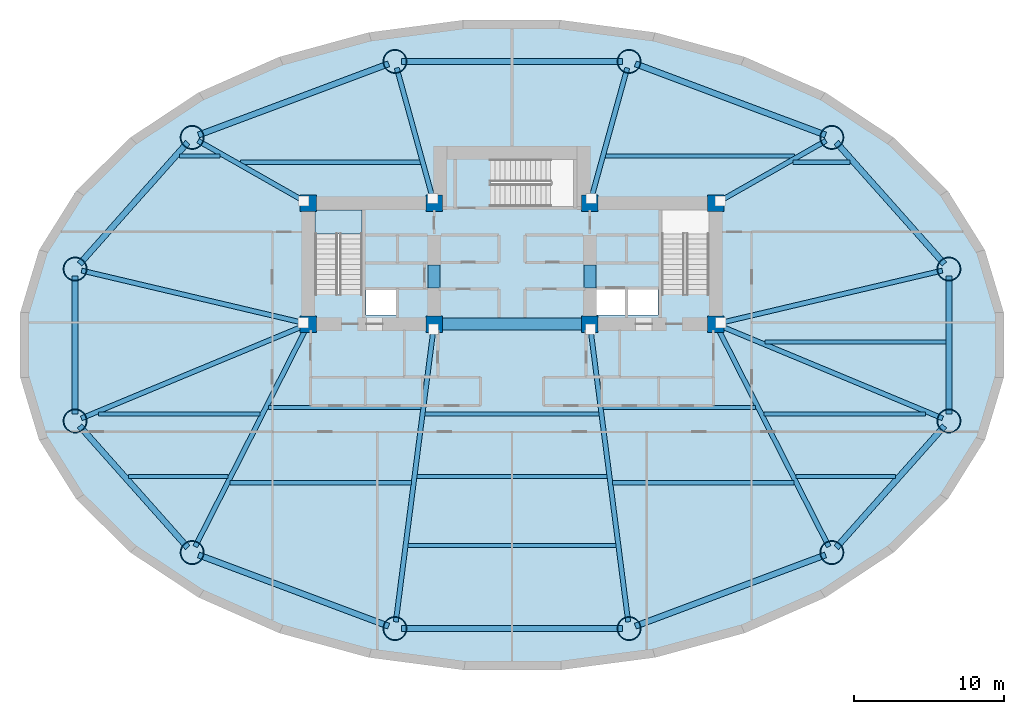
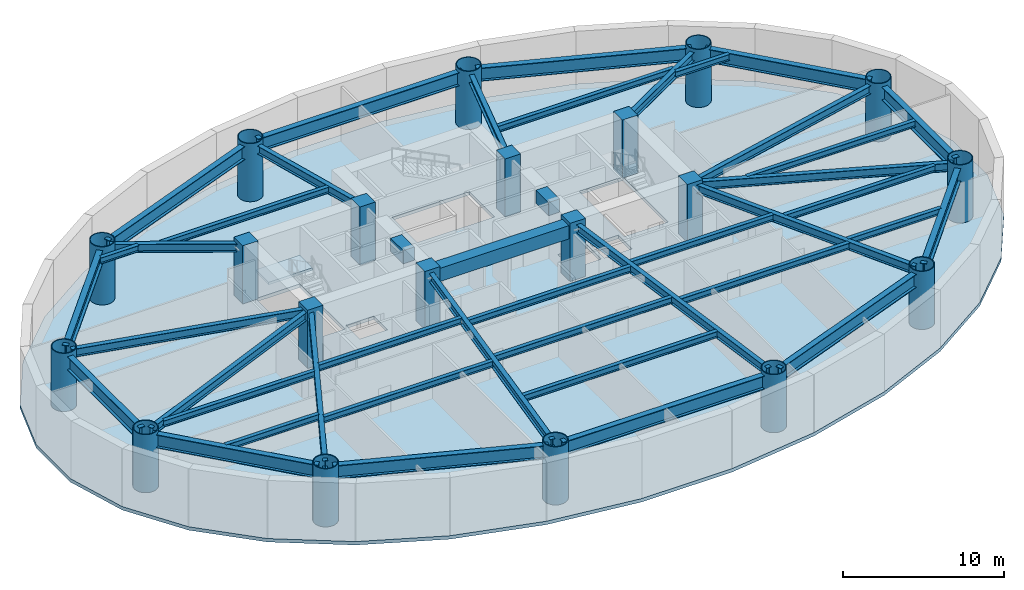
# One storey, part 1 of 6: 43 beams, 20 columns, 2 slabs, 1 element without a shape of its own.
"""IFC4 building model written with IfcOpenShell, lengths in metres."""

from ifc_helpers import new_model, si_unit, direction, frame, origin, origin_2d, place, context, subcontext, project, spatial, polyline, rectangle, hollow_circle, i_section, outline, extrude, material, layer, layer_set, material_profile, profile_set, type_object, element, aggregate, save


model = new_model("IFC4")

# Units and contexts
model_context = context("Model", 3, precision=1e-05, world=origin(), true_north=direction((0.0, 1.0)))
body_context = subcontext(model_context, "Body", "Model", "MODEL_VIEW")
ifc_project = project(units=[si_unit("LENGTHUNIT", "METRE"), si_unit("AREAUNIT", "SQUARE_METRE"), si_unit("VOLUMEUNIT", "CUBIC_METRE"), si_unit("PLANEANGLEUNIT", "RADIAN"), si_unit("MASSUNIT", "GRAM", prefix="KILO")], contexts=[model_context])

# Site, building, storey
site_placement = place(None, origin())
site = spatial("IfcSite", under=ifc_project, at=site_placement, CompositionType="ELEMENT")
building_placement = place(site_placement, origin())
building = spatial("IfcBuilding", under=site, at=building_placement, Name="Keldmark Tower", CompositionType="ELEMENT")
storey_placement = place(building_placement, frame((0.0, 0.0, -4.39990234375)))
storey = spatial("IfcBuildingStorey", under=building, at=storey_placement, Name="B01", CompositionType="ELEMENT", Elevation=-4.39990234375)

# Columns
ifc_material_1 = material(Name="Concrete C70/85", Category="concrete")
ifc_material_profile_1 = material_profile(ifc_material_1, rectangle(XDim=1.10009765625, YDim=1.10009765625, at=origin_2d()), Name="RC1100X1100")
ifc_profile_set_1 = profile_set([ifc_material_profile_1], Name="Concrete C70/85")
column_type_1 = type_object("IfcColumnType", Name="Core Boundary Column RC1100", PredefinedType="COLUMN", material=ifc_profile_set_1)
for number, where, z_axis, x_axis, name in (
    (1, (-13.60009765625, 1.39990234375, 0.0), (0.0, 0.0, 1.0), (1.0, 0.0, 0.0), "B01 Core Boundary Column CC-W1"),
    (2, (-13.60009765625, 9.449951171875, 0.0), (0.0, 0.0, 1.0), (1.0, 0.0, 0.0), "B01 Core Boundary Column CC-W2"),
    (3, (-5.199951171875, 1.39990234375, 0.0), (0.0, 0.0, 1.0), (1.0, 0.0, 0.0), "B01 Core Boundary Column CC-W3"),
    (4, (-5.199951171875, 9.449951171875, 0.0), (0.0, 0.0, 1.0), (1.0, 0.0, 0.0), "B01 Core Boundary Column CC-W4"),
    (5, (5.199951171875, 1.39990234375, 0.0), (0.0, 0.0, 1.0), (1.0, 0.0, 0.0), "B01 Core Boundary Column CC-E1"),
    (6, (5.199951171875, 9.449951171875, 0.0), (0.0, 0.0, 1.0), (1.0, 0.0, 0.0), "B01 Core Boundary Column CC-E2"),
    (7, (13.60009765625, 1.39990234375, 0.0), (0.0, 0.0, 1.0), (1.0, 0.0, 0.0), "B01 Core Boundary Column CC-E3"),
    (8, (13.60009765625, 9.449951171875, 0.0), (0.0, 0.0, 1.0), (1.0, 0.0, 0.0), "B01 Core Boundary Column CC-E4"),
):
    element("IfcColumn", number, at=place(storey_placement, frame(where, z_axis=z_axis, x_axis=x_axis)), inside=storey, type_object=column_type_1, Name=name, PredefinedType="COLUMN", context=body_context, shape_type="SweptSolid", body=[
        extrude(rectangle(XDim=1.10009765625, YDim=1.10009765625, at=origin_2d()), origin(), (0.0, 0.0, 1.0), 4.39990234375),
    ])
ifc_material_2 = material(Name="Steel ASTM A572 Grade 50", Category="steel")
ifc_material_profile_2 = material_profile(ifc_material_2, hollow_circle(Radius=0.800048828125, WallThickness=0.06005859375, at=origin_2d()), Name="CHS1600X60")
ifc_profile_set_2 = profile_set([ifc_material_profile_2], Name="Steel ASTM A572 Grade 50")
column_type_2 = type_object("IfcColumnType", Name="Pilotis Mega-Column Lower CHS1600", PredefinedType="USERDEFINED", material=ifc_profile_set_2)
for number, where, z_axis, x_axis, name in (
    (9, (29.1708984375, 5.072998046875, 0.0), (0.0, 0.0, 1.0), (1.0, 0.0, 0.0), "B01 Pilotis Mega-Column MC-01"),
    (10, (21.3544921875, 13.859375, 0.0), (0.0, 0.0, 1.0), (1.0, 0.0, 0.0), "B01 Pilotis Mega-Column MC-02"),
    (11, (7.81640625, 18.93212890625, 0.0), (0.0, 0.0, 1.0), (1.0, 0.0, 0.0), "B01 Pilotis Mega-Column MC-03"),
    (12, (-7.81640625, 18.93212890625, 0.0), (0.0, 0.0, 1.0), (1.0, 0.0, 0.0), "B01 Pilotis Mega-Column MC-04"),
    (13, (-21.3544921875, 13.859375, 0.0), (0.0, 0.0, 1.0), (1.0, 0.0, 0.0), "B01 Pilotis Mega-Column MC-05"),
    (14, (-29.1708984375, 5.072998046875, 0.0), (0.0, 0.0, 1.0), (1.0, 0.0, 0.0), "B01 Pilotis Mega-Column MC-06"),
    (15, (-29.1708984375, -5.072998046875, 0.0), (0.0, 0.0, 1.0), (1.0, 0.0, 0.0), "B01 Pilotis Mega-Column MC-07"),
    (16, (-21.3544921875, -13.859375, 0.0), (0.0, 0.0, 1.0), (1.0, 0.0, 0.0), "B01 Pilotis Mega-Column MC-08"),
    (17, (-7.81640625, -18.93212890625, 0.0), (0.0, 0.0, 1.0), (1.0, 0.0, 0.0), "B01 Pilotis Mega-Column MC-09"),
    (18, (7.81640625, -18.93212890625, 0.0), (0.0, 0.0, 1.0), (1.0, 0.0, 0.0), "B01 Pilotis Mega-Column MC-10"),
    (19, (21.3544921875, -13.859375, 0.0), (0.0, 0.0, 1.0), (1.0, 0.0, 0.0), "B01 Pilotis Mega-Column MC-11"),
    (20, (29.1708984375, -5.072998046875, 0.0), (0.0, 0.0, 1.0), (1.0, 0.0, 0.0), "B01 Pilotis Mega-Column MC-12"),
):
    element("IfcColumn", number, at=place(storey_placement, frame(where, z_axis=z_axis, x_axis=x_axis)), inside=storey, type_object=column_type_2, Name=name, ObjectType="MEGA COLUMN", PredefinedType="USERDEFINED", context=body_context, shape_type="SweptSolid", body=[
        extrude(hollow_circle(Radius=0.800048828125, WallThickness=0.06005859375, at=origin_2d()), origin(), (0.0, 0.0, 1.0), 4.39990234375),
    ])

# Beams
ifc_material_3 = material(Name="Steel ASTM A992 Grade 50", Category="steel")
ifc_material_profile_3 = material_profile(ifc_material_3, i_section(OverallWidth=0.280029296875, OverallDepth=0.462890625, WebThickness=0.0107421875, FlangeThickness=0.017333984375, at=origin_2d()), Name="W18X76")
ifc_profile_set_3 = profile_set([ifc_material_profile_3], Name="Steel ASTM A992 Grade 50")
beam_type_1 = type_object("IfcBeamType", Name="Composite Floor Joist W18X76", PredefinedType="JOIST", material=ifc_profile_set_3)
beam_1_placement = place(storey_placement, frame((-6.946044921875, -13.3798828125, 3.908447265625), z_axis=(1.0, 0.0, 0.0), x_axis=(0.0, 1.0, 0.0)))
element("IfcBeam", 21, at=beam_1_placement, inside=storey, type_object=beam_type_1, Name="B01 Composite Floor Joist J01", PredefinedType="JOIST", context=body_context, shape_type="SweptSolid", body=[
    extrude(i_section(OverallWidth=0.280029296875, OverallDepth=0.462890625, WebThickness=0.0107421875, FlangeThickness=0.017333984375, at=origin_2d()), origin(), (0.0, 0.0, 1.0), 13.89208984375),
])
beam_2_placement = place(storey_placement, frame((-25.614501953125, -8.780029296875, 3.908447265625), z_axis=(1.0, 0.0, 0.0), x_axis=(0.0, 1.0, 0.0)))
element("IfcBeam", 22, at=beam_2_placement, inside=storey, type_object=beam_type_1, Name="B01 Composite Floor Joist J02", PredefinedType="JOIST", context=body_context, shape_type="SweptSolid", body=[
    extrude(i_section(OverallWidth=0.280029296875, OverallDepth=0.462890625, WebThickness=0.0107421875, FlangeThickness=0.017333984375, at=origin_2d()), origin(), (0.0, 0.0, 1.0), 6.667236328125),
])
beam_3_placement = place(storey_placement, frame((-18.81298828125, -9.199951171875, 3.908447265625), z_axis=(1.0, 0.0, 0.0), x_axis=(0.0, 1.0, 0.0)))
element("IfcBeam", 23, at=beam_3_placement, inside=storey, type_object=beam_type_1, Name="B01 Composite Floor Joist J03", PredefinedType="JOIST", context=body_context, shape_type="SweptSolid", body=[
    extrude(i_section(OverallWidth=0.280029296875, OverallDepth=0.462890625, WebThickness=0.0107421875, FlangeThickness=0.017333984375, at=origin_2d()), origin(), (0.0, 0.0, 1.0), 12.09326171875),
])
beam_4_placement = place(storey_placement, frame((-6.354248046875, -8.780029296875, 3.908447265625), z_axis=(1.0, 0.0, 0.0), x_axis=(0.0, 1.0, 0.0)))
element("IfcBeam", 24, at=beam_4_placement, inside=storey, type_object=beam_type_1, Name="B01 Composite Floor Joist J04", PredefinedType="JOIST", context=body_context, shape_type="SweptSolid", body=[
    extrude(i_section(OverallWidth=0.280029296875, OverallDepth=0.462890625, WebThickness=0.0107421875, FlangeThickness=0.017333984375, at=origin_2d()), origin(), (0.0, 0.0, 1.0), 12.70849609375),
])
beam_5_placement = place(storey_placement, frame((6.7197265625, -9.199951171875, 3.908447265625), z_axis=(1.0, 0.0, 0.0), x_axis=(0.0, 1.0, 0.0)))
element("IfcBeam", 25, at=beam_5_placement, inside=storey, type_object=beam_type_1, Name="B01 Composite Floor Joist J05", PredefinedType="JOIST", context=body_context, shape_type="SweptSolid", body=[
    extrude(i_section(OverallWidth=0.280029296875, OverallDepth=0.462890625, WebThickness=0.0107421875, FlangeThickness=0.017333984375, at=origin_2d()), origin(), (0.0, 0.0, 1.0), 12.09326171875),
])
beam_6_placement = place(storey_placement, frame((18.947265625, -8.780029296875, 3.908447265625), z_axis=(1.0, 0.0, 0.0), x_axis=(0.0, 1.0, 0.0)))
element("IfcBeam", 26, at=beam_6_placement, inside=storey, type_object=beam_type_1, Name="B01 Composite Floor Joist J06", PredefinedType="JOIST", context=body_context, shape_type="SweptSolid", body=[
    extrude(i_section(OverallWidth=0.280029296875, OverallDepth=0.462890625, WebThickness=0.0107421875, FlangeThickness=0.017333984375, at=origin_2d()), origin(), (0.0, 0.0, 1.0), 6.667236328125),
])
beam_7_placement = place(storey_placement, frame((-27.622802734375, -4.60009765625, 3.908447265625), z_axis=(1.0, 0.0, 0.0), x_axis=(0.0, 1.0, 0.0)))
element("IfcBeam", 27, at=beam_7_placement, inside=storey, type_object=beam_type_1, Name="B01 Composite Floor Joist J07", PredefinedType="JOIST", context=body_context, shape_type="SweptSolid", body=[
    extrude(i_section(OverallWidth=0.280029296875, OverallDepth=0.462890625, WebThickness=0.0107421875, FlangeThickness=0.017333984375, at=origin_2d()), origin(), (0.0, 0.0, 1.0), 10.7998046875),
])
beam_8_placement = place(storey_placement, frame((-16.26171875, -4.179931640625, 3.908447265625), z_axis=(1.0, 0.0, 0.0), x_axis=(0.0, 1.0, 0.0)))
element("IfcBeam", 28, at=beam_8_placement, inside=storey, type_object=beam_type_1, Name="B01 Composite Floor Joist J08", PredefinedType="JOIST", context=body_context, shape_type="SweptSolid", body=[
    extrude(i_section(OverallWidth=0.280029296875, OverallDepth=0.462890625, WebThickness=0.0107421875, FlangeThickness=0.017333984375, at=origin_2d()), origin(), (0.0, 0.0, 1.0), 10.187744140625),
])
beam_9_placement = place(storey_placement, frame((-5.81640625, -4.60009765625, 3.908447265625), z_axis=(1.0, 0.0, 0.0), x_axis=(0.0, 1.0, 0.0)))
element("IfcBeam", 29, at=beam_9_placement, inside=storey, type_object=beam_type_1, Name="B01 Composite Floor Joist J09", PredefinedType="JOIST", context=body_context, shape_type="SweptSolid", body=[
    extrude(i_section(OverallWidth=0.280029296875, OverallDepth=0.462890625, WebThickness=0.0107421875, FlangeThickness=0.017333984375, at=origin_2d()), origin(), (0.0, 0.0, 1.0), 11.6328125),
])
beam_10_placement = place(storey_placement, frame((6.073974609375, -4.179931640625, 3.908447265625), z_axis=(1.0, 0.0, 0.0), x_axis=(0.0, 1.0, 0.0)))
element("IfcBeam", 30, at=beam_10_placement, inside=storey, type_object=beam_type_1, Name="B01 Composite Floor Joist J10", PredefinedType="JOIST", context=body_context, shape_type="SweptSolid", body=[
    extrude(i_section(OverallWidth=0.280029296875, OverallDepth=0.462890625, WebThickness=0.0107421875, FlangeThickness=0.017333984375, at=origin_2d()), origin(), (0.0, 0.0, 1.0), 10.187744140625),
])
beam_11_placement = place(storey_placement, frame((16.822998046875, -4.60009765625, 3.908447265625), z_axis=(1.0, 0.0, 0.0), x_axis=(0.0, 1.0, 0.0)))
element("IfcBeam", 31, at=beam_11_placement, inside=storey, type_object=beam_type_1, Name="B01 Composite Floor Joist J11", PredefinedType="JOIST", context=body_context, shape_type="SweptSolid", body=[
    extrude(i_section(OverallWidth=0.280029296875, OverallDepth=0.462890625, WebThickness=0.0107421875, FlangeThickness=0.017333984375, at=origin_2d()), origin(), (0.0, 0.0, 1.0), 10.7998046875),
])
beam_12_placement = place(storey_placement, frame((16.897216796875, 0.199951171875, 3.908447265625), z_axis=(1.0, 0.0, 0.0), x_axis=(0.0, 1.0, 0.0)))
element("IfcBeam", 32, at=beam_12_placement, inside=storey, type_object=beam_type_1, Name="B01 Composite Floor Joist J12", PredefinedType="JOIST", context=body_context, shape_type="SweptSolid", body=[
    extrude(i_section(OverallWidth=0.280029296875, OverallDepth=0.462890625, WebThickness=0.0107421875, FlangeThickness=0.017333984375, at=origin_2d()), origin(), (0.0, 0.0, 1.0), 12.081787109375),
])
beam_13_placement = place(storey_placement, frame((-22.198486328125, 12.6201171875, 3.908447265625), z_axis=(1.0, 0.0, 0.0), x_axis=(0.0, 1.0, 0.0)))
element("IfcBeam", 33, at=beam_13_placement, inside=storey, type_object=beam_type_1, Name="B01 Composite Floor Joist J13", PredefinedType="JOIST", context=body_context, shape_type="SweptSolid", body=[
    extrude(i_section(OverallWidth=0.280029296875, OverallDepth=0.462890625, WebThickness=0.0107421875, FlangeThickness=0.017333984375, at=origin_2d()), origin(), (0.0, 0.0, 1.0), 2.705810546875),
])
beam_14_placement = place(storey_placement, frame((-18.11865234375, 12.199951171875, 3.908447265625), z_axis=(1.0, 0.0, 0.0), x_axis=(0.0, 1.0, 0.0)))
element("IfcBeam", 34, at=beam_14_placement, inside=storey, type_object=beam_type_1, Name="B01 Composite Floor Joist J14", PredefinedType="JOIST", context=body_context, shape_type="SweptSolid", body=[
    extrude(i_section(OverallWidth=0.280029296875, OverallDepth=0.462890625, WebThickness=0.0107421875, FlangeThickness=0.017333984375, at=origin_2d()), origin(), (0.0, 0.0, 1.0), 11.99951171875),
])
beam_15_placement = place(storey_placement, frame((6.235107421875, 12.6201171875, 3.908447265625), z_axis=(1.0, 0.0, 0.0), x_axis=(0.0, 1.0, 0.0)))
element("IfcBeam", 35, at=beam_15_placement, inside=storey, type_object=beam_type_1, Name="B01 Composite Floor Joist J15", PredefinedType="JOIST", context=body_context, shape_type="SweptSolid", body=[
    extrude(i_section(OverallWidth=0.280029296875, OverallDepth=0.462890625, WebThickness=0.0107421875, FlangeThickness=0.017333984375, at=origin_2d()), origin(), (0.0, 0.0, 1.0), 12.622314453125),
])
beam_16_placement = place(storey_placement, frame((18.754150390625, 12.199951171875, 3.908447265625), z_axis=(1.0, 0.0, 0.0), x_axis=(0.0, 1.0, 0.0)))
element("IfcBeam", 36, at=beam_16_placement, inside=storey, type_object=beam_type_1, Name="B01 Composite Floor Joist J16", PredefinedType="JOIST", context=body_context, shape_type="SweptSolid", body=[
    extrude(i_section(OverallWidth=0.280029296875, OverallDepth=0.462890625, WebThickness=0.0107421875, FlangeThickness=0.017333984375, at=origin_2d()), origin(), (0.0, 0.0, 1.0), 3.81787109375),
])
ifc_material_4 = material(Name="Concrete C70/85", Category="concrete")
ifc_material_profile_4 = material_profile(ifc_material_4, rectangle(XDim=0.800048828125, YDim=1.0, at=origin_2d()), Name="RCB800X1000")
ifc_profile_set_4 = profile_set([ifc_material_profile_4], Name="Concrete C70/85")
beam_type_2 = type_object("IfcBeamType", Name="Core Coupling Beam RCB800X1000", PredefinedType="USERDEFINED", material=ifc_profile_set_4)
for number, where, z_axis, x_axis, name in (
    (37, (-5.199951171875, 3.800048828125, 3.639892578125), (0.0, 1.0, 0.0), (-1.0, 0.0, 0.0), "B01 West Core Coupling Beam"),
    (38, (5.199951171875, 3.800048828125, 3.639892578125), (0.0, 1.0, 0.0), (-1.0, 0.0, 0.0), "B01 East Core Coupling Beam"),
):
    element("IfcBeam", number, at=place(storey_placement, frame(where, z_axis=z_axis, x_axis=x_axis)), inside=storey, type_object=beam_type_2, Name=name, ObjectType="COUPLING BEAM", PredefinedType="USERDEFINED", context=body_context, shape_type="SweptSolid", body=[
        extrude(rectangle(XDim=0.800048828125, YDim=1.0, at=origin_2d()), origin(), (0.0, 0.0, 1.0), 1.550048828125),
    ])
beam_17_placement = place(storey_placement, frame((-5.199951171875, 1.39990234375, 3.639892578125), z_axis=(1.0, 0.0, 0.0), x_axis=(0.0, 1.0, 0.0)))
element("IfcBeam", 39, at=beam_17_placement, inside=storey, type_object=beam_type_2, Name="B01 Central South Core Coupling Beam", ObjectType="COUPLING BEAM", PredefinedType="USERDEFINED", context=body_context, shape_type="SweptSolid", body=[
    extrude(rectangle(XDim=0.800048828125, YDim=1.0, at=origin_2d()), origin(), (0.0, 0.0, 1.0), 10.39990234375),
])
ifc_material_5 = material(Name="Steel ASTM A992 Grade 50", Category="steel")
ifc_material_profile_5 = material_profile(ifc_material_5, i_section(OverallWidth=0.402099609375, OverallDepth=1.011962890625, WebThickness=0.023681640625, FlangeThickness=0.0419921875, at=origin_2d()), Name="W40X297")
ifc_profile_set_5 = profile_set([ifc_material_profile_5], Name="Steel ASTM A992 Grade 50")
beam_type_3 = type_object("IfcBeamType", Name="Podium Primary Girder W40X297", PredefinedType="BEAM", material=ifc_profile_set_5)
beam_18_placement = place(storey_placement, frame((28.871826171875, 5.4091796875, 3.6337890625), z_axis=(-0.66464984112, 0.747154996436, 0.0), x_axis=(-0.747154996436, -0.66464984112, 0.0)))
element("IfcBeam", 40, at=beam_18_placement, inside=storey, type_object=beam_type_3, Name="B01 Podium Ring Girder PG-R01", PredefinedType="BEAM", context=body_context, shape_type="SweptSolid", body=[
    extrude(i_section(OverallWidth=0.402099609375, OverallDepth=1.011962890625, WebThickness=0.023681640625, FlangeThickness=0.0419921875, at=origin_2d()), origin(), (0.0, 0.0, 1.0), 10.85986328125),
])
beam_19_placement = place(storey_placement, frame((20.93310546875, 14.01708984375, 3.6337890625), z_axis=(-0.936417954382, 0.350886612329, 0.0), x_axis=(-0.350886612329, -0.936417954382, 0.0)))
element("IfcBeam", 41, at=beam_19_placement, inside=storey, type_object=beam_type_3, Name="B01 Podium Ring Girder PG-R02", PredefinedType="BEAM", context=body_context, shape_type="SweptSolid", body=[
    extrude(i_section(OverallWidth=0.402099609375, OverallDepth=1.011962890625, WebThickness=0.023681640625, FlangeThickness=0.0419921875, at=origin_2d()), origin(), (0.0, 0.0, 1.0), 13.557373046875),
])
beam_20_placement = place(storey_placement, frame((7.3662109375, 18.93212890625, 3.6337890625), z_axis=(-1.0, 0.0, 0.0), x_axis=(0.0, -1.0, 0.0)))
element("IfcBeam", 42, at=beam_20_placement, inside=storey, type_object=beam_type_3, Name="B01 Podium Ring Girder PG-R03", PredefinedType="BEAM", context=body_context, shape_type="SweptSolid", body=[
    extrude(i_section(OverallWidth=0.402099609375, OverallDepth=1.011962890625, WebThickness=0.023681640625, FlangeThickness=0.0419921875, at=origin_2d()), origin(), (0.0, 0.0, 1.0), 14.732421875),
])
beam_21_placement = place(storey_placement, frame((-8.23779296875, 18.774169921875, 3.6337890625), z_axis=(-0.936417954382, -0.350886612329, 0.0), x_axis=(0.350886612329, -0.936417954382, 0.0)))
element("IfcBeam", 43, at=beam_21_placement, inside=storey, type_object=beam_type_3, Name="B01 Podium Ring Girder PG-R04", PredefinedType="BEAM", context=body_context, shape_type="SweptSolid", body=[
    extrude(i_section(OverallWidth=0.402099609375, OverallDepth=1.011962890625, WebThickness=0.023681640625, FlangeThickness=0.0419921875, at=origin_2d()), origin(), (0.0, 0.0, 1.0), 13.557373046875),
])
beam_22_placement = place(storey_placement, frame((-21.65380859375, 13.523193359375, 3.6337890625), z_axis=(-0.66464984112, -0.747154996436, 0.0), x_axis=(0.747154996436, -0.66464984112, 0.0)))
element("IfcBeam", 44, at=beam_22_placement, inside=storey, type_object=beam_type_3, Name="B01 Podium Ring Girder PG-R05", PredefinedType="BEAM", context=body_context, shape_type="SweptSolid", body=[
    extrude(i_section(OverallWidth=0.402099609375, OverallDepth=1.011962890625, WebThickness=0.023681640625, FlangeThickness=0.0419921875, at=origin_2d()), origin(), (0.0, 0.0, 1.0), 10.85986328125),
])
beam_23_placement = place(storey_placement, frame((-29.1708984375, 4.622802734375, 3.6337890625), z_axis=(0.0, -1.0, 0.0), x_axis=(1.0, 0.0, 0.0)))
element("IfcBeam", 45, at=beam_23_placement, inside=storey, type_object=beam_type_3, Name="B01 Podium Ring Girder PG-R06", PredefinedType="BEAM", context=body_context, shape_type="SweptSolid", body=[
    extrude(i_section(OverallWidth=0.402099609375, OverallDepth=1.011962890625, WebThickness=0.023681640625, FlangeThickness=0.0419921875, at=origin_2d()), origin(), (0.0, 0.0, 1.0), 9.24560546875),
])
beam_24_placement = place(storey_placement, frame((-28.871826171875, -5.4091796875, 3.6337890625), z_axis=(0.66464984112, -0.747154996436, 0.0), x_axis=(0.747154996436, 0.66464984112, 0.0)))
element("IfcBeam", 46, at=beam_24_placement, inside=storey, type_object=beam_type_3, Name="B01 Podium Ring Girder PG-R07", PredefinedType="BEAM", context=body_context, shape_type="SweptSolid", body=[
    extrude(i_section(OverallWidth=0.402099609375, OverallDepth=1.011962890625, WebThickness=0.023681640625, FlangeThickness=0.0419921875, at=origin_2d()), origin(), (0.0, 0.0, 1.0), 10.85986328125),
])
beam_25_placement = place(storey_placement, frame((-20.93310546875, -14.01708984375, 3.6337890625), z_axis=(0.936417954382, -0.350886612329, 0.0), x_axis=(0.350886612329, 0.936417954382, 0.0)))
element("IfcBeam", 47, at=beam_25_placement, inside=storey, type_object=beam_type_3, Name="B01 Podium Ring Girder PG-R08", PredefinedType="BEAM", context=body_context, shape_type="SweptSolid", body=[
    extrude(i_section(OverallWidth=0.402099609375, OverallDepth=1.011962890625, WebThickness=0.023681640625, FlangeThickness=0.0419921875, at=origin_2d()), origin(), (0.0, 0.0, 1.0), 13.557373046875),
])
beam_26_placement = place(storey_placement, frame((-7.3662109375, -18.93212890625, 3.6337890625), z_axis=(1.0, 0.0, 0.0), x_axis=(0.0, 1.0, 0.0)))
element("IfcBeam", 48, at=beam_26_placement, inside=storey, type_object=beam_type_3, Name="B01 Podium Ring Girder PG-R09", PredefinedType="BEAM", context=body_context, shape_type="SweptSolid", body=[
    extrude(i_section(OverallWidth=0.402099609375, OverallDepth=1.011962890625, WebThickness=0.023681640625, FlangeThickness=0.0419921875, at=origin_2d()), origin(), (0.0, 0.0, 1.0), 14.732421875),
])
beam_27_placement = place(storey_placement, frame((8.23779296875, -18.774169921875, 3.6337890625), z_axis=(0.936417954382, 0.350886612329, 0.0), x_axis=(-0.350886612329, 0.936417954382, 0.0)))
element("IfcBeam", 49, at=beam_27_placement, inside=storey, type_object=beam_type_3, Name="B01 Podium Ring Girder PG-R10", PredefinedType="BEAM", context=body_context, shape_type="SweptSolid", body=[
    extrude(i_section(OverallWidth=0.402099609375, OverallDepth=1.011962890625, WebThickness=0.023681640625, FlangeThickness=0.0419921875, at=origin_2d()), origin(), (0.0, 0.0, 1.0), 13.557373046875),
])
beam_28_placement = place(storey_placement, frame((21.65380859375, -13.523193359375, 3.6337890625), z_axis=(0.66464984112, 0.747154996436, 0.0), x_axis=(-0.747154996436, 0.66464984112, 0.0)))
element("IfcBeam", 50, at=beam_28_placement, inside=storey, type_object=beam_type_3, Name="B01 Podium Ring Girder PG-R11", PredefinedType="BEAM", context=body_context, shape_type="SweptSolid", body=[
    extrude(i_section(OverallWidth=0.402099609375, OverallDepth=1.011962890625, WebThickness=0.023681640625, FlangeThickness=0.0419921875, at=origin_2d()), origin(), (0.0, 0.0, 1.0), 10.85986328125),
])
beam_29_placement = place(storey_placement, frame((29.1708984375, -4.622802734375, 3.6337890625), z_axis=(0.0, 1.0, 0.0), x_axis=(-1.0, 0.0, 0.0)))
element("IfcBeam", 51, at=beam_29_placement, inside=storey, type_object=beam_type_3, Name="B01 Podium Ring Girder PG-R12", PredefinedType="BEAM", context=body_context, shape_type="SweptSolid", body=[
    extrude(i_section(OverallWidth=0.402099609375, OverallDepth=1.011962890625, WebThickness=0.023681640625, FlangeThickness=0.0419921875, at=origin_2d()), origin(), (0.0, 0.0, 1.0), 9.24560546875),
])
ifc_material_6 = material(Name="Steel ASTM A992 Grade 50", Category="steel")
ifc_material_profile_6 = material_profile(ifc_material_6, i_section(OverallWidth=0.326904296875, OverallDepth=0.6220703125, WebThickness=0.015380859375, FlangeThickness=0.0244140625, at=origin_2d()), Name="W24X131")
ifc_profile_set_6 = profile_set([ifc_material_profile_6], Name="Steel ASTM A992 Grade 50")
beam_type_4 = type_object("IfcBeamType", Name="Spandrel Ring Beam W24X131", PredefinedType="SPANDREL", material=ifc_profile_set_6)
beam_30_placement = place(storey_placement, frame((28.73291015625, 4.969482421875, 3.828857421875), z_axis=(-0.973292516513, -0.229568458854, 0.0), x_axis=(0.229568458854, -0.973292516513, 0.0)))
element("IfcBeam", 52, at=beam_30_placement, inside=storey, type_object=beam_type_4, Name="B01 Podium Radial Girder PG-C01", PredefinedType="SPANDREL", context=body_context, shape_type="SweptSolid", body=[
    extrude(i_section(OverallWidth=0.326904296875, OverallDepth=0.6220703125, WebThickness=0.015380859375, FlangeThickness=0.0244140625, at=origin_2d()), origin(), (0.0, 0.0, 1.0), 15.1982421875),
])
beam_31_placement = place(storey_placement, frame((20.96337890625, 13.636962890625, 3.828857421875), z_axis=(-0.869293918493, -0.494295542434, 0.0), x_axis=(0.494295542434, -0.869293918493, 0.0)))
element("IfcBeam", 53, at=beam_31_placement, inside=storey, type_object=beam_type_4, Name="B01 Podium Radial Girder PG-C02", PredefinedType="SPANDREL", context=body_context, shape_type="SweptSolid", body=[
    extrude(i_section(OverallWidth=0.326904296875, OverallDepth=0.6220703125, WebThickness=0.015380859375, FlangeThickness=0.0244140625, at=origin_2d()), origin(), (0.0, 0.0, 1.0), 8.120361328125),
])
for number, where, z_axis, x_axis, name in (
    (54, (7.696533203125, 18.498291015625, 3.828857421875), (-0.265960165124, -0.963984019871, 0.0), (0.963984019871, -0.265960165124, 0.0), "B01 Podium Radial Girder PG-C03"),
    (55, (-7.696533203125, 18.498291015625, 3.828857421875), (0.265960165124, -0.963984019871, 0.0), (0.963984019871, 0.265960165124, 0.0), "B01 Podium Radial Girder PG-C04"),
):
    element("IfcBeam", number, at=place(storey_placement, frame(where, z_axis=z_axis, x_axis=x_axis)), inside=storey, type_object=beam_type_4, Name=name, PredefinedType="SPANDREL", context=body_context, shape_type="SweptSolid", body=[
        extrude(i_section(OverallWidth=0.326904296875, OverallDepth=0.6220703125, WebThickness=0.015380859375, FlangeThickness=0.0244140625, at=origin_2d()), origin(), (0.0, 0.0, 1.0), 9.036376953125),
    ])
beam_32_placement = place(storey_placement, frame((-20.96337890625, 13.636962890625, 3.828857421875), z_axis=(0.869293918493, -0.494295542434, 0.0), x_axis=(0.494295542434, 0.869293918493, 0.0)))
element("IfcBeam", 56, at=beam_32_placement, inside=storey, type_object=beam_type_4, Name="B01 Podium Radial Girder PG-C05", PredefinedType="SPANDREL", context=body_context, shape_type="SweptSolid", body=[
    extrude(i_section(OverallWidth=0.326904296875, OverallDepth=0.6220703125, WebThickness=0.015380859375, FlangeThickness=0.0244140625, at=origin_2d()), origin(), (0.0, 0.0, 1.0), 8.120361328125),
])
beam_33_placement = place(storey_placement, frame((-28.73291015625, 4.969482421875, 3.828857421875), z_axis=(0.973292516513, -0.229568458854, 0.0), x_axis=(0.229568458854, 0.973292516513, 0.0)))
element("IfcBeam", 57, at=beam_33_placement, inside=storey, type_object=beam_type_4, Name="B01 Podium Radial Girder PG-C06", PredefinedType="SPANDREL", context=body_context, shape_type="SweptSolid", body=[
    extrude(i_section(OverallWidth=0.326904296875, OverallDepth=0.6220703125, WebThickness=0.015380859375, FlangeThickness=0.0244140625, at=origin_2d()), origin(), (0.0, 0.0, 1.0), 15.1982421875),
])
beam_34_placement = place(storey_placement, frame((-28.755615234375, -4.900146484375, 3.828857421875), z_axis=(0.923395872542, 0.383849010123, 0.0), x_axis=(-0.383849010123, 0.923395872542, 0.0)))
element("IfcBeam", 58, at=beam_34_placement, inside=storey, type_object=beam_type_4, Name="B01 Podium Radial Girder PG-C07", PredefinedType="SPANDREL", context=body_context, shape_type="SweptSolid", body=[
    extrude(i_section(OverallWidth=0.326904296875, OverallDepth=0.6220703125, WebThickness=0.015380859375, FlangeThickness=0.0244140625, at=origin_2d()), origin(), (0.0, 0.0, 1.0), 16.06298828125),
])
beam_35_placement = place(storey_placement, frame((-21.150634765625, -13.4580078125, 3.828857421875), z_axis=(0.45304555932, 0.891487364566, 0.0), x_axis=(-0.891487364566, 0.45304555932, 0.0)))
element("IfcBeam", 59, at=beam_35_placement, inside=storey, type_object=beam_type_4, Name="B01 Podium Radial Girder PG-C08", PredefinedType="SPANDREL", context=body_context, shape_type="SweptSolid", body=[
    extrude(i_section(OverallWidth=0.326904296875, OverallDepth=0.6220703125, WebThickness=0.015380859375, FlangeThickness=0.0244140625, at=origin_2d()), origin(), (0.0, 0.0, 1.0), 16.31640625),
])
for number, where, z_axis, x_axis, name in (
    (60, (-7.7587890625, -18.48583984375, 3.828857421875), (0.127622930912, 0.991822760127, 0.0), (-0.991822760127, 0.127622930912, 0.0), "B01 Podium Radial Girder PG-C09"),
    (61, (7.7587890625, -18.48583984375, 3.828857421875), (-0.127622930912, 0.991822760127, 0.0), (-0.991822760127, -0.127622930912, 0.0), "B01 Podium Radial Girder PG-C10"),
):
    element("IfcBeam", number, at=place(storey_placement, frame(where, z_axis=z_axis, x_axis=x_axis)), inside=storey, type_object=beam_type_4, Name=name, PredefinedType="SPANDREL", context=body_context, shape_type="SweptSolid", body=[
        extrude(i_section(OverallWidth=0.326904296875, OverallDepth=0.6220703125, WebThickness=0.015380859375, FlangeThickness=0.0244140625, at=origin_2d()), origin(), (0.0, 0.0, 1.0), 19.699951171875),
    ])
beam_36_placement = place(storey_placement, frame((21.150634765625, -13.4580078125, 3.828857421875), z_axis=(-0.45304555932, 0.891487364566, 0.0), x_axis=(-0.891487364566, -0.45304555932, 0.0)))
element("IfcBeam", 62, at=beam_36_placement, inside=storey, type_object=beam_type_4, Name="B01 Podium Radial Girder PG-C11", PredefinedType="SPANDREL", context=body_context, shape_type="SweptSolid", body=[
    extrude(i_section(OverallWidth=0.326904296875, OverallDepth=0.6220703125, WebThickness=0.015380859375, FlangeThickness=0.0244140625, at=origin_2d()), origin(), (0.0, 0.0, 1.0), 16.31640625),
])
beam_37_placement = place(storey_placement, frame((28.755615234375, -4.900146484375, 3.828857421875), z_axis=(-0.923395872542, 0.383849010123, 0.0), x_axis=(-0.383849010123, -0.923395872542, 0.0)))
element("IfcBeam", 63, at=beam_37_placement, inside=storey, type_object=beam_type_4, Name="B01 Podium Radial Girder PG-C12", PredefinedType="SPANDREL", context=body_context, shape_type="SweptSolid", body=[
    extrude(i_section(OverallWidth=0.326904296875, OverallDepth=0.6220703125, WebThickness=0.015380859375, FlangeThickness=0.0244140625, at=origin_2d()), origin(), (0.0, 0.0, 1.0), 16.06298828125),
])

# Slab
ifc_material_7 = material(Name="Concrete C35/45", Category="concrete")
ifc_layer_1 = layer(ifc_material_7, 0.260009765625)
ifc_layer_set_1 = layer_set([ifc_layer_1], Name="Concrete C35/45")
slab_type_1 = type_object("IfcSlabType", Name="Podium Ground Slab 260 mm", PredefinedType="FLOOR", material=ifc_layer_set_1)
slab_1_placement = place(storey_placement, frame((0.0, 0.0, -0.260009765625)))
element("IfcSlab", 64, at=slab_1_placement, inside=storey, type_object=slab_type_1, Name="B01 Composite Structural Floor Slab", PredefinedType="FLOOR", context=body_context, shape_type="SweptSolid", body=[
    extrude(outline(polyline([(32.841064453125, 2.13671875), (31.5791015625, 6.328125), (29.103515625, 10.2763671875), (25.50927734375, 13.829833984375), (20.93505859375, 16.8515625), (15.55615234375, 19.225830078125), (9.579345703125, 20.861328125), (3.234619140625, 21.695068359375), (-3.234619140625, 21.695068359375), (-9.579345703125, 20.861328125), (-15.55615234375, 19.225830078125), (-20.93505859375, 16.8515625), (-25.50927734375, 13.829833984375), (-29.103515625, 10.2763671875), (-31.5791015625, 6.328125), (-32.841064453125, 2.13671875), (-32.841064453125, -2.13671875), (-31.5791015625, -6.328125), (-29.103515625, -10.2763671875), (-25.50927734375, -13.829833984375), (-20.93505859375, -16.8515625), (-15.55615234375, -19.225830078125), (-9.579345703125, -20.861328125), (-3.234619140625, -21.695068359375), (3.234619140625, -21.695068359375), (9.579345703125, -20.861328125), (15.55615234375, -19.225830078125), (20.93505859375, -16.8515625), (25.50927734375, -13.829833984375), (29.103515625, -10.2763671875), (31.5791015625, -6.328125), (32.841064453125, -2.13671875), (32.841064453125, 2.13671875)]), holes=[polyline([(-10.0, 3.385009765625), (-10.0, 9.0), (-13.14990234375, 9.0), (-13.14990234375, 3.385009765625), (-10.0, 3.385009765625)]), polyline([(13.14990234375, 3.385009765625), (13.14990234375, 9.0), (10.0, 9.0), (10.0, 3.385009765625), (13.14990234375, 3.385009765625)]), polyline([(-1.43994140625, 9.25), (4.10498046875, 9.25), (4.10498046875, 12.39990234375), (-1.43994140625, 12.39990234375), (-1.43994140625, 9.25)]), polyline([(-9.75, 2.0), (-7.75, 2.0), (-7.75, 3.699951171875), (-9.75, 3.699951171875), (-9.75, 2.0)]), polyline([(7.75, 2.0), (9.75, 2.0), (9.75, 3.699951171875), (7.75, 3.699951171875), (7.75, 2.0)]), polyline([(5.449951171875, 2.0), (7.550048828125, 2.0), (7.550048828125, 3.75), (5.449951171875, 3.75), (5.449951171875, 2.0)])]), origin(), (0.0, 0.0, 1.0), 0.260009765625),
])

# Stair, slab
ifc_material_8 = material(Name="Concrete C40/50", Category="concrete")
stair_type = type_object("IfcStairType", Name="Precast Concrete Core Exit Stair", PredefinedType="HALF_TURN_STAIR", material=ifc_material_8)
stair_placement = place(storey_placement, origin())
stair = element("IfcStair", 65, at=stair_placement, inside=storey, type_object=stair_type, Name="B01 Exit Stair ST1", PredefinedType="HALF_TURN_STAIR")
ifc_material_9 = material(Name="Concrete C40/50", Category="concrete")
ifc_layer_2 = layer(ifc_material_9, 0.199951171875)
ifc_layer_set_2 = layer_set([ifc_layer_2], Name="Concrete C40/50")
slab_type_2 = type_object("IfcSlabType", Name="Reinforced Concrete Stair Landing 200 mm", PredefinedType="LANDING", material=ifc_layer_set_2)
slab_2_placement = place(storey_placement, frame((0.0, 0.0, 2.0)))
slab_2 = element("IfcSlab", 66, at=slab_2_placement, type_object=slab_type_2, Name="ST1 landing 1", PredefinedType="LANDING", context=body_context, shape_type="SweptSolid", body=[
    extrude(outline(polyline([(-10.0, 7.409912109375), (-10.0, 9.0), (-13.14990234375, 9.0), (-13.14990234375, 7.409912109375), (-10.0, 7.409912109375)])), origin(), (0.0, 0.0, 1.0), 0.199951171875),
])
aggregate(stair, [slab_2])

save(model, "model.ifc")
